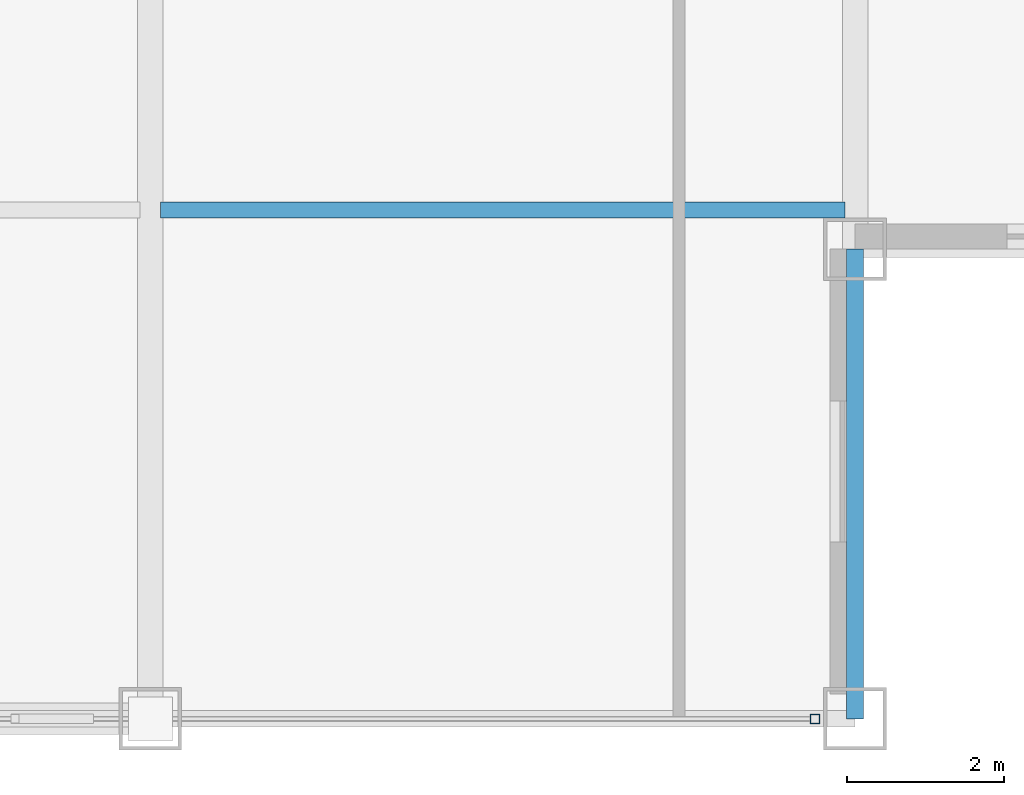
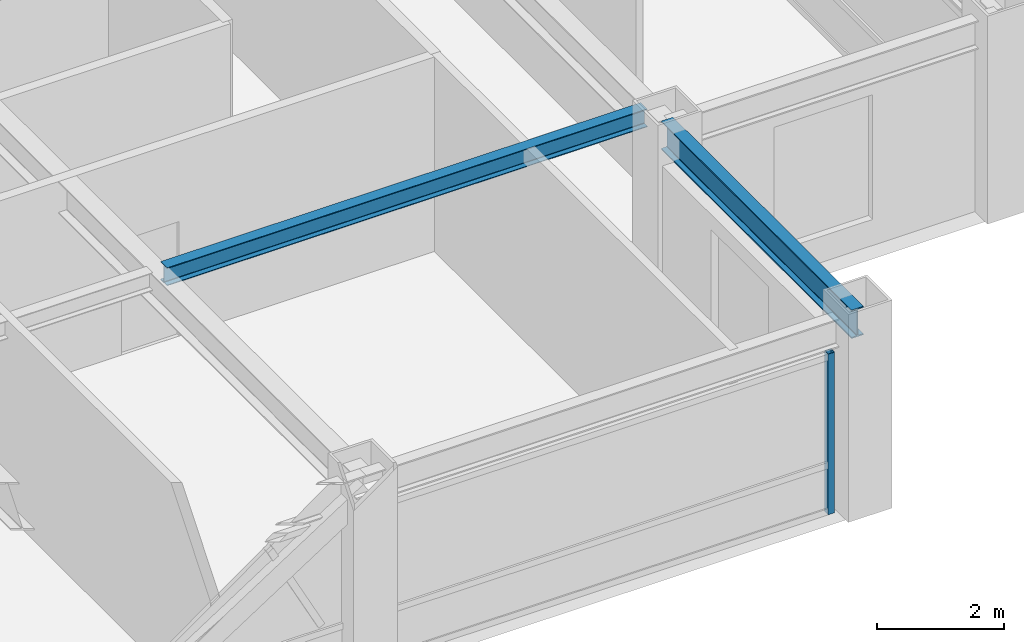
# One storey, part 8 of 28: 2 beams, 1 member, 1 element without a shape of its own.
"""IFC4 building model written with IfcOpenShell, lengths in metres."""

from ifc_helpers import new_model, si_unit, direction, frame, origin, origin_2d, place, context, subcontext, project, spatial, hollow_rectangle, i_section, extrude, source, transform, mapped, material, material_profile, profile_set, type_object, element, aggregate, save


model = new_model("IFC4")

# Units and contexts
model_context = context("Model", 3, precision=1e-05, world=origin(), true_north=direction((0.0, 1.0)))
body_context = subcontext(model_context, "Body", "Model", "MODEL_VIEW")
ifc_project = project(units=[si_unit("LENGTHUNIT", "METRE"), si_unit("AREAUNIT", "SQUARE_METRE"), si_unit("VOLUMEUNIT", "CUBIC_METRE"), si_unit("PLANEANGLEUNIT", "RADIAN"), si_unit("MASSUNIT", "GRAM", prefix="KILO")], contexts=[model_context])

# Site, building, storey
site_placement = place(None, origin())
site = spatial("IfcSite", under=ifc_project, at=site_placement, CompositionType="ELEMENT")
building_placement = place(site_placement, origin())
building = spatial("IfcBuilding", under=site, at=building_placement, Name="Khorayat Bourse Tower", CompositionType="ELEMENT")
storey_placement = place(building_placement, frame((0.0, 0.0, 338.300048828125)))
storey = spatial("IfcBuildingStorey", under=building, at=storey_placement, Name="L80", CompositionType="ELEMENT", Elevation=338.300048828125)

# Beams
ifc_material_1 = material(Name="Steel ASTM A992 Grade 50", Category="steel")
ifc_material_profile_1 = material_profile(ifc_material_1, i_section(OverallWidth=0.214111328125, OverallDepth=0.549072265625, WebThickness=0.0146484375, FlangeThickness=0.023681640625, FilletRadius=0.013916015625, at=origin_2d()), Name="W530X138")
ifc_profile_set_1 = profile_set([ifc_material_profile_1], Name="Steel ASTM A992 Grade 50")
beam_type_1 = type_object("IfcBeamType", Name="BM-SPAN-530", PredefinedType="SPANDREL", material=ifc_profile_set_1)
shared_shape_1 = source(origin(), body_context, "Body", "SweptSolid", [
    extrude(i_section(OverallWidth=0.214111328125, OverallDepth=0.549072265625, WebThickness=0.0146484375, FlangeThickness=0.023681640625, FilletRadius=0.013916015625, at=origin_2d()), origin(), (0.0, 0.0, 1.0), 6.0),
])
beam_1_placement = place(storey_placement, frame((20.0, -26.0, 3.46533203125), z_axis=(0.0, 1.0, 0.0), x_axis=(-1.0, 0.0, 0.0)))
element("IfcBeam", 1, at=beam_1_placement, inside=storey, type_object=beam_type_1, Name="L80 BM-SPAN-530 BM-L80-SPN-030", PredefinedType="SPANDREL", context=body_context, shape_type="MappedRepresentation", body=[
    mapped(shared_shape_1, transform((0.0, 0.0, 0.0), scale=1.0)),
])
ifc_material_profile_2 = material_profile(ifc_material_1, i_section(OverallWidth=0.202880859375, OverallDepth=0.346923828125, WebThickness=0.0078125, FlangeThickness=0.013427734375, FilletRadius=0.010009765625, at=origin_2d()), Name="W360X64")
ifc_profile_set_2 = profile_set([ifc_material_profile_2], Name="Steel ASTM A992 Grade 50")
beam_type_2 = type_object("IfcBeamType", Name="BM-JOIST-360", PredefinedType="JOIST", material=ifc_profile_set_2)
shared_shape_2 = source(origin(), body_context, "Body", "SweptSolid", [
    extrude(i_section(OverallWidth=0.202880859375, OverallDepth=0.346923828125, WebThickness=0.0078125, FlangeThickness=0.013427734375, FilletRadius=0.010009765625, at=origin_2d()), origin(), (0.0, 0.0, 1.0), 8.740234375),
])
beam_2_placement = place(storey_placement, frame((11.1298828125, -19.5, 3.56640625), z_axis=(1.0, 0.0, 0.0), x_axis=(0.0, 1.0, 0.0)))
element("IfcBeam", 2, at=beam_2_placement, inside=storey, type_object=beam_type_2, Name="L80 BM-JOIST-360 BM-L80-JSTX-082", PredefinedType="JOIST", context=body_context, shape_type="MappedRepresentation", body=[
    mapped(shared_shape_2, transform((0.0, 0.0, 0.0), scale=1.0)),
])

# Curtain wall, member
ifc_material_2 = material(Name="Aluminium EN AW-6063 T6", Category="aluminium")
curtain_wall_type = type_object("IfcCurtainWallType", Name="CW-SYS-04", PredefinedType="NOTDEFINED", material=ifc_material_2)
curtain_wall_placement = place(storey_placement, origin())
curtain_wall = element("IfcCurtainWall", 3, at=curtain_wall_placement, inside=storey, type_object=curtain_wall_type, Name="L80 Curtain Wall CW-L80-S1", PredefinedType="NOTDEFINED")
ifc_material_profile_3 = material_profile(ifc_material_2, hollow_rectangle(XDim=0.1201171875, YDim=0.1201171875, WallThickness=0.0048828125, at=origin_2d()), Name="ALU 120x120x5")
ifc_profile_set_3 = profile_set([ifc_material_profile_3], Name="Aluminium EN AW-6063 T6")
member_type = type_object("IfcMemberType", Name="CWM-VERT-120", PredefinedType="MULLION", material=ifc_profile_set_3)
shared_shape_3 = source(origin(), body_context, "Body", "SweptSolid", [
    extrude(hollow_rectangle(XDim=0.1201171875, YDim=0.1201171875, WallThickness=0.0048828125, at=origin_2d()), origin(), (0.0, 0.0, 1.0), 3.08984375),
])
member_placement = place(storey_placement, frame((19.489990234375, -26.0, 0.0), z_axis=(0.0, 0.0, 1.0), x_axis=(0.0, 1.0, 0.0)))
member = element("IfcMember", 4, at=member_placement, type_object=member_type, Name="CW-L80-S1 Vertical Mullion 3", PredefinedType="MULLION", context=body_context, shape_type="MappedRepresentation", body=[
    mapped(shared_shape_3, transform((0.0, 0.0, 0.0), scale=1.0)),
])
aggregate(curtain_wall, [member])

save(model, "model.ifc")
